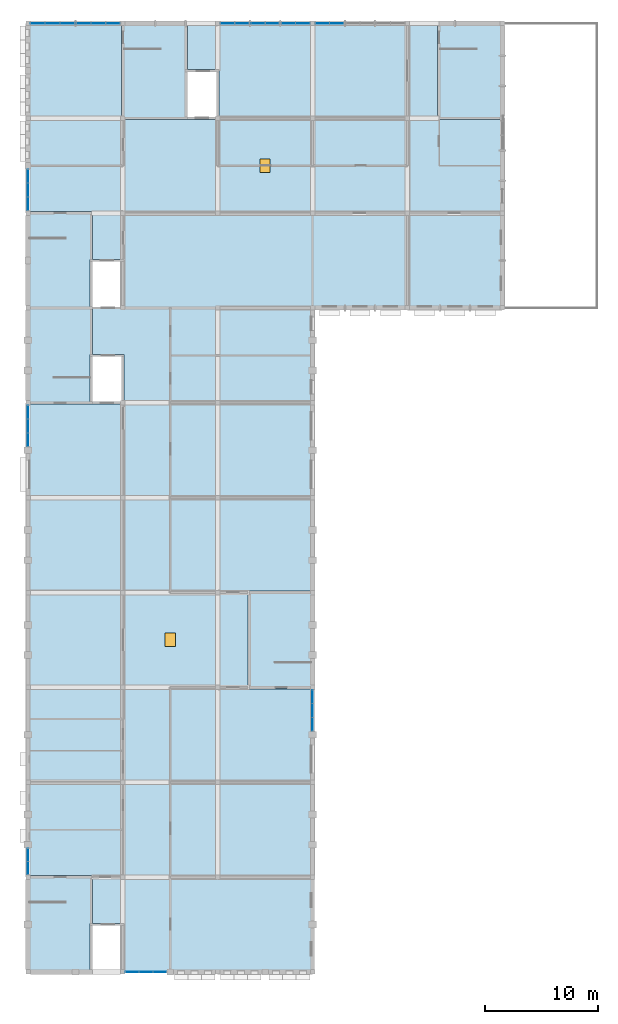
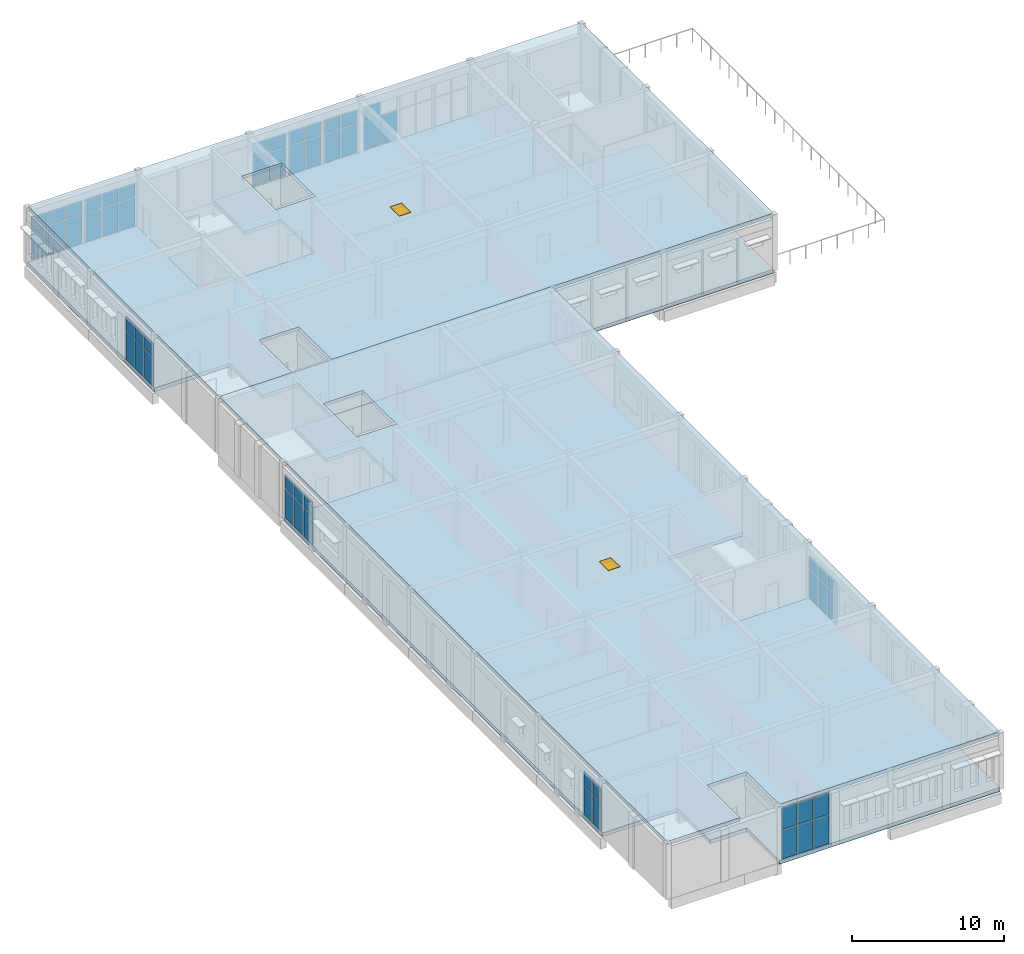
# One storey, part 8 of 15: 55 plates, 4 slabs, 2 windows, 2 openings, 11 elements without a shape of their own.
"""IFC4 building model written with IfcOpenShell, lengths in metres."""

from ifc_helpers import new_model, si_unit, direction, frame, origin, origin_2d, place, context, subcontext, project, spatial, polyline, rectangle, outline, extrude, material, layer, layer_set, type_object, element, fill, aggregate, save


model = new_model("IFC4")

# Units and contexts
model_context = context("Model", 3, precision=1e-05, world=origin(), true_north=direction((0.0, 1.0)))
body_context = subcontext(model_context, "Body", "Model", "MODEL_VIEW")
ifc_project = project(units=[si_unit("LENGTHUNIT", "METRE"), si_unit("AREAUNIT", "SQUARE_METRE"), si_unit("VOLUMEUNIT", "CUBIC_METRE"), si_unit("PLANEANGLEUNIT", "RADIAN"), si_unit("MASSUNIT", "GRAM", prefix="KILO")], contexts=[model_context])

# Site, building, storey
site_placement = place(None, origin())
site = spatial("IfcSite", under=ifc_project, at=site_placement, CompositionType="ELEMENT")
building_placement = place(site_placement, origin())
building = spatial("IfcBuilding", under=site, at=building_placement, Name="Fescue Hill Polytechnic", CompositionType="ELEMENT")
storey_placement = place(building_placement, frame((0.0, 0.0, 31.5)))
storey = spatial("IfcBuildingStorey", under=building, at=storey_placement, Name="L07", CompositionType="ELEMENT", Elevation=31.5)

# Slabs
ifc_material_1 = material(Name="Concrete 35 MPa", Category="concrete")
ifc_layer_1 = layer(ifc_material_1, 0.300048828125)
ifc_layer_set_1 = layer_set([ifc_layer_1], Name="Concrete 35 MPa")
slab_type_1 = type_object("IfcSlabType", Name="Floor slab 300", PredefinedType="FLOOR", material=ifc_layer_set_1)
slab_1_placement = place(storey_placement, frame((0.0, 0.0, -0.300048828125)))
element("IfcSlab", 1, at=slab_1_placement, inside=storey, type_object=slab_type_1, Name="SL-L07-V4-1", PredefinedType="FLOOR", context=body_context, shape_type="SweptSolid", body=[
    extrude(outline(polyline([(25.199951171875, 50.39990234375), (8.5, 50.39990234375), (8.5, 54.699951171875), (5.72509765625, 54.699951171875), (5.72509765625, 58.925048828125), (0.0, 58.925048828125), (0.0, 100.675048828125), (5.72509765625, 100.675048828125), (5.72509765625, 100.699951171875), (8.5, 100.699951171875), (8.5, 105.10009765625), (5.72509765625, 105.10009765625), (5.72509765625, 109.199951171875), (25.199951171875, 109.199951171875), (25.199951171875, 84.125), (19.47509765625, 84.125), (19.47509765625, 75.47509765625), (25.199951171875, 75.47509765625), (25.199951171875, 50.39990234375)])), origin(), (0.0, 0.0, 1.0), 0.300048828125),
])
slab_2_placement = place(storey_placement, frame((0.0, 0.0, -0.300048828125)))
element("IfcSlab", 2, at=slab_2_placement, inside=storey, type_object=slab_type_1, Name="SL-L07-V5-1", PredefinedType="FLOOR", context=body_context, shape_type="SweptSolid", body=[
    extrude(outline(polyline([(42.0, 109.199951171875), (8.5, 109.199951171875), (8.5, 113.5), (5.72509765625, 113.5), (5.72509765625, 117.72509765625), (0.0, 117.72509765625), (0.0, 134.39990234375), (8.27490234375, 134.39990234375), (8.27490234375, 125.875), (14.125, 125.875), (14.125, 125.89990234375), (16.89990234375, 125.89990234375), (16.89990234375, 130.300048828125), (14.125, 130.300048828125), (14.125, 134.39990234375), (36.27490234375, 134.39990234375), (36.27490234375, 125.875), (42.0, 125.875), (42.0, 109.199951171875)])), origin(), (0.0, 0.0, 1.0), 0.300048828125),
])

# Curtain wall, plates
ifc_material_2 = material(Name="Glass", Category="glass")
curtain_wall_type = type_object("IfcCurtainWallType", Name="Curtain wall structural glazing", PredefinedType="NOTDEFINED", material=ifc_material_2)
curtain_wall_1_placement = place(storey_placement, origin())
curtain_wall_1 = element("IfcCurtainWall", 3, at=curtain_wall_1_placement, inside=storey, type_object=curtain_wall_type, Name="CW-L07-V5-3", PredefinedType="NOTDEFINED")
ifc_layer_2 = layer(ifc_material_2, 0.028076171875)
ifc_layer_set_2 = layer_set([ifc_layer_2], Name="Glass")
plate_type = type_object("IfcPlateType", Name="Panel glazing 28", PredefinedType="CURTAIN_PANEL", material=ifc_layer_set_2)
plate_1_placement = place(storey_placement, frame((27.340087890625, 134.39990234375, 0.06005859375), z_axis=(0.0, 0.0, 1.0), x_axis=(-1.0, 0.0, 0.0)))
plate_1 = element("IfcPlate", 4, at=plate_1_placement, type_object=plate_type, Name="CW108 panel 1.1", PredefinedType="CURTAIN_PANEL", context=body_context, shape_type="SweptSolid", body=[
    extrude(rectangle(XDim=1.21337890625, YDim=0.028076171875, at=origin_2d()), origin(), (0.0, 0.0, 1.0), 2.31005859375),
])
plate_2_placement = place(storey_placement, frame((26.066650390625, 134.39990234375, 0.06005859375), z_axis=(0.0, 0.0, 1.0), x_axis=(-1.0, 0.0, 0.0)))
plate_2 = element("IfcPlate", 5, at=plate_2_placement, type_object=plate_type, Name="CW108 panel 2.1", PredefinedType="CURTAIN_PANEL", context=body_context, shape_type="SweptSolid", body=[
    extrude(rectangle(XDim=1.21337890625, YDim=0.028076171875, at=origin_2d()), origin(), (0.0, 0.0, 1.0), 2.31005859375),
])
plate_3_placement = place(storey_placement, frame((26.066650390625, 134.39990234375, 2.43017578125), z_axis=(0.0, 0.0, 1.0), x_axis=(-1.0, 0.0, 0.0)))
plate_3 = element("IfcPlate", 6, at=plate_3_placement, type_object=plate_type, Name="CW108 panel 2.2", PredefinedType="CURTAIN_PANEL", context=body_context, shape_type="SweptSolid", body=[
    extrude(rectangle(XDim=1.21337890625, YDim=0.028076171875, at=origin_2d()), origin(), (0.0, 0.0, 1.0), 1.090087890625),
])
aggregate(curtain_wall_1, [plate_1, plate_2, plate_3])

curtain_wall_2_placement = place(storey_placement, origin())
curtain_wall_2 = element("IfcCurtainWall", 7, at=curtain_wall_2_placement, inside=storey, type_object=curtain_wall_type, Name="CW-L07-V5-4", PredefinedType="NOTDEFINED")
plate_4_placement = place(storey_placement, frame((24.333251953125, 134.39990234375, 0.06005859375), z_axis=(0.0, 0.0, 1.0), x_axis=(-1.0, 0.0, 0.0)))
plate_4 = element("IfcPlate", 8, at=plate_4_placement, type_object=plate_type, Name="CW109 panel 1.1", PredefinedType="CURTAIN_PANEL", context=body_context, shape_type="SweptSolid", body=[
    extrude(rectangle(XDim=1.21337890625, YDim=0.028076171875, at=origin_2d()), origin(), (0.0, 0.0, 1.0), 2.31005859375),
])
plate_5_placement = place(storey_placement, frame((24.333251953125, 134.39990234375, 2.43017578125), z_axis=(0.0, 0.0, 1.0), x_axis=(-1.0, 0.0, 0.0)))
plate_5 = element("IfcPlate", 9, at=plate_5_placement, type_object=plate_type, Name="CW109 panel 1.2", PredefinedType="CURTAIN_PANEL", context=body_context, shape_type="SweptSolid", body=[
    extrude(rectangle(XDim=1.21337890625, YDim=0.028076171875, at=origin_2d()), origin(), (0.0, 0.0, 1.0), 1.090087890625),
])
plate_6_placement = place(storey_placement, frame((23.06005859375, 134.39990234375, 0.06005859375), z_axis=(0.0, 0.0, 1.0), x_axis=(-1.0, 0.0, 0.0)))
plate_6 = element("IfcPlate", 10, at=plate_6_placement, type_object=plate_type, Name="CW109 panel 2.1", PredefinedType="CURTAIN_PANEL", context=body_context, shape_type="SweptSolid", body=[
    extrude(rectangle(XDim=1.21337890625, YDim=0.028076171875, at=origin_2d()), origin(), (0.0, 0.0, 1.0), 2.31005859375),
])
plate_7_placement = place(storey_placement, frame((23.06005859375, 134.39990234375, 2.43017578125), z_axis=(0.0, 0.0, 1.0), x_axis=(-1.0, 0.0, 0.0)))
plate_7 = element("IfcPlate", 11, at=plate_7_placement, type_object=plate_type, Name="CW109 panel 2.2", PredefinedType="CURTAIN_PANEL", context=body_context, shape_type="SweptSolid", body=[
    extrude(rectangle(XDim=1.21337890625, YDim=0.028076171875, at=origin_2d()), origin(), (0.0, 0.0, 1.0), 1.090087890625),
])
aggregate(curtain_wall_2, [plate_4, plate_5, plate_6, plate_7])

curtain_wall_3_placement = place(storey_placement, origin())
curtain_wall_3 = element("IfcCurtainWall", 12, at=curtain_wall_3_placement, inside=storey, type_object=curtain_wall_type, Name="CW-L07-V5-5", PredefinedType="NOTDEFINED")
plate_8_placement = place(storey_placement, frame((21.62158203125, 134.39990234375, 0.06005859375), z_axis=(0.0, 0.0, 1.0), x_axis=(-1.0, 0.0, 0.0)))
plate_8 = element("IfcPlate", 13, at=plate_8_placement, type_object=plate_type, Name="CW110 panel 1.1", PredefinedType="CURTAIN_PANEL", context=body_context, shape_type="SweptSolid", body=[
    extrude(rectangle(XDim=1.183349609375, YDim=0.028076171875, at=origin_2d()), origin(), (0.0, 0.0, 1.0), 2.31005859375),
])
plate_9_placement = place(storey_placement, frame((21.62158203125, 134.39990234375, 2.43017578125), z_axis=(0.0, 0.0, 1.0), x_axis=(-1.0, 0.0, 0.0)))
plate_9 = element("IfcPlate", 14, at=plate_9_placement, type_object=plate_type, Name="CW110 panel 1.2", PredefinedType="CURTAIN_PANEL", context=body_context, shape_type="SweptSolid", body=[
    extrude(rectangle(XDim=1.183349609375, YDim=0.028076171875, at=origin_2d()), origin(), (0.0, 0.0, 1.0), 1.090087890625),
])
plate_10_placement = place(storey_placement, frame((20.37841796875, 134.39990234375, 0.06005859375), z_axis=(0.0, 0.0, 1.0), x_axis=(-1.0, 0.0, 0.0)))
plate_10 = element("IfcPlate", 15, at=plate_10_placement, type_object=plate_type, Name="CW110 panel 2.1", PredefinedType="CURTAIN_PANEL", context=body_context, shape_type="SweptSolid", body=[
    extrude(rectangle(XDim=1.183349609375, YDim=0.028076171875, at=origin_2d()), origin(), (0.0, 0.0, 1.0), 2.31005859375),
])
plate_11_placement = place(storey_placement, frame((20.37841796875, 134.39990234375, 2.43017578125), z_axis=(0.0, 0.0, 1.0), x_axis=(-1.0, 0.0, 0.0)))
plate_11 = element("IfcPlate", 16, at=plate_11_placement, type_object=plate_type, Name="CW110 panel 2.2", PredefinedType="CURTAIN_PANEL", context=body_context, shape_type="SweptSolid", body=[
    extrude(rectangle(XDim=1.183349609375, YDim=0.028076171875, at=origin_2d()), origin(), (0.0, 0.0, 1.0), 1.090087890625),
])
aggregate(curtain_wall_3, [plate_8, plate_9, plate_10, plate_11])

curtain_wall_4_placement = place(storey_placement, origin())
curtain_wall_4 = element("IfcCurtainWall", 17, at=curtain_wall_4_placement, inside=storey, type_object=curtain_wall_type, Name="CW-L07-V5-6", PredefinedType="NOTDEFINED")
plate_12_placement = place(storey_placement, frame((18.93994140625, 134.39990234375, 0.06005859375), z_axis=(0.0, 0.0, 1.0), x_axis=(-1.0, 0.0, 0.0)))
plate_12 = element("IfcPlate", 18, at=plate_12_placement, type_object=plate_type, Name="CW111 panel 1.1", PredefinedType="CURTAIN_PANEL", context=body_context, shape_type="SweptSolid", body=[
    extrude(rectangle(XDim=1.21337890625, YDim=0.028076171875, at=origin_2d()), origin(), (0.0, 0.0, 1.0), 2.31005859375),
])
plate_13_placement = place(storey_placement, frame((18.93994140625, 134.39990234375, 2.43017578125), z_axis=(0.0, 0.0, 1.0), x_axis=(-1.0, 0.0, 0.0)))
plate_13 = element("IfcPlate", 19, at=plate_13_placement, type_object=plate_type, Name="CW111 panel 1.2", PredefinedType="CURTAIN_PANEL", context=body_context, shape_type="SweptSolid", body=[
    extrude(rectangle(XDim=1.21337890625, YDim=0.028076171875, at=origin_2d()), origin(), (0.0, 0.0, 1.0), 1.090087890625),
])
plate_14_placement = place(storey_placement, frame((17.666748046875, 134.39990234375, 0.06005859375), z_axis=(0.0, 0.0, 1.0), x_axis=(-1.0, 0.0, 0.0)))
plate_14 = element("IfcPlate", 20, at=plate_14_placement, type_object=plate_type, Name="CW111 panel 2.1", PredefinedType="CURTAIN_PANEL", context=body_context, shape_type="SweptSolid", body=[
    extrude(rectangle(XDim=1.21337890625, YDim=0.028076171875, at=origin_2d()), origin(), (0.0, 0.0, 1.0), 2.31005859375),
])
plate_15_placement = place(storey_placement, frame((17.666748046875, 134.39990234375, 2.43017578125), z_axis=(0.0, 0.0, 1.0), x_axis=(-1.0, 0.0, 0.0)))
plate_15 = element("IfcPlate", 21, at=plate_15_placement, type_object=plate_type, Name="CW111 panel 2.2", PredefinedType="CURTAIN_PANEL", context=body_context, shape_type="SweptSolid", body=[
    extrude(rectangle(XDim=1.21337890625, YDim=0.028076171875, at=origin_2d()), origin(), (0.0, 0.0, 1.0), 1.090087890625),
])
aggregate(curtain_wall_4, [plate_12, plate_13, plate_14, plate_15])

curtain_wall_5_placement = place(storey_placement, origin())
curtain_wall_5 = element("IfcCurtainWall", 22, at=curtain_wall_5_placement, inside=storey, type_object=curtain_wall_type, Name="CW-L07-V5-7", PredefinedType="NOTDEFINED")
plate_16_placement = place(storey_placement, frame((3.46826171875, 134.39990234375, 0.06005859375), z_axis=(0.0, 0.0, 1.0), x_axis=(-1.0, 0.0, 0.0)))
plate_16 = element("IfcPlate", 23, at=plate_16_placement, type_object=plate_type, Name="CW112 panel 1.1", PredefinedType="CURTAIN_PANEL", context=body_context, shape_type="SweptSolid", body=[
    extrude(rectangle(XDim=1.223388671875, YDim=0.028076171875, at=origin_2d()), origin(), (0.0, 0.0, 1.0), 2.31005859375),
])
plate_17_placement = place(storey_placement, frame((3.46826171875, 134.39990234375, 2.43017578125), z_axis=(0.0, 0.0, 1.0), x_axis=(-1.0, 0.0, 0.0)))
plate_17 = element("IfcPlate", 24, at=plate_17_placement, type_object=plate_type, Name="CW112 panel 1.2", PredefinedType="CURTAIN_PANEL", context=body_context, shape_type="SweptSolid", body=[
    extrude(rectangle(XDim=1.223388671875, YDim=0.028076171875, at=origin_2d()), origin(), (0.0, 0.0, 1.0), 1.090087890625),
])
plate_18_placement = place(storey_placement, frame((2.169921875, 134.39990234375, 0.06005859375), z_axis=(0.0, 0.0, 1.0), x_axis=(-1.0, 0.0, 0.0)))
plate_18 = element("IfcPlate", 25, at=plate_18_placement, type_object=plate_type, Name="CW112 panel 2.1", PredefinedType="CURTAIN_PANEL", context=body_context, shape_type="SweptSolid", body=[
    extrude(rectangle(XDim=1.25341796875, YDim=0.028076171875, at=origin_2d()), origin(), (0.0, 0.0, 1.0), 2.31005859375),
])
plate_19_placement = place(storey_placement, frame((2.169921875, 134.39990234375, 2.43017578125), z_axis=(0.0, 0.0, 1.0), x_axis=(-1.0, 0.0, 0.0)))
plate_19 = element("IfcPlate", 26, at=plate_19_placement, type_object=plate_type, Name="CW112 panel 2.2", PredefinedType="CURTAIN_PANEL", context=body_context, shape_type="SweptSolid", body=[
    extrude(rectangle(XDim=1.25341796875, YDim=0.028076171875, at=origin_2d()), origin(), (0.0, 0.0, 1.0), 1.090087890625),
])
plate_20_placement = place(storey_placement, frame((0.87158203125, 134.39990234375, 0.06005859375), z_axis=(0.0, 0.0, 1.0), x_axis=(-1.0, 0.0, 0.0)))
plate_20 = element("IfcPlate", 27, at=plate_20_placement, type_object=plate_type, Name="CW112 panel 3.1", PredefinedType="CURTAIN_PANEL", context=body_context, shape_type="SweptSolid", body=[
    extrude(rectangle(XDim=1.223388671875, YDim=0.028076171875, at=origin_2d()), origin(), (0.0, 0.0, 1.0), 2.31005859375),
])
plate_21_placement = place(storey_placement, frame((0.87158203125, 134.39990234375, 2.43017578125), z_axis=(0.0, 0.0, 1.0), x_axis=(-1.0, 0.0, 0.0)))
plate_21 = element("IfcPlate", 28, at=plate_21_placement, type_object=plate_type, Name="CW112 panel 3.2", PredefinedType="CURTAIN_PANEL", context=body_context, shape_type="SweptSolid", body=[
    extrude(rectangle(XDim=1.223388671875, YDim=0.028076171875, at=origin_2d()), origin(), (0.0, 0.0, 1.0), 1.090087890625),
])
aggregate(curtain_wall_5, [plate_16, plate_17, plate_18, plate_19, plate_20, plate_21])

curtain_wall_6_placement = place(storey_placement, origin())
curtain_wall_6 = element("IfcCurtainWall", 29, at=curtain_wall_6_placement, inside=storey, type_object=curtain_wall_type, Name="CW-L07-V4-X1", PredefinedType="NOTDEFINED")
plate_22_placement = place(storey_placement, frame((0.0, 60.760009765625, 0.06005859375), z_axis=(0.0, 0.0, 1.0), x_axis=(0.0, -1.0, 0.0)))
plate_22 = element("IfcPlate", 30, at=plate_22_placement, type_object=plate_type, Name="CW127 panel 1.1", PredefinedType="CURTAIN_PANEL", context=body_context, shape_type="SweptSolid", body=[
    extrude(rectangle(XDim=1.09326171875, YDim=0.028076171875, at=origin_2d()), origin(), (0.0, 0.0, 1.0), 2.31005859375),
])
plate_23_placement = place(storey_placement, frame((0.0, 60.760009765625, 2.43017578125), z_axis=(0.0, 0.0, 1.0), x_axis=(0.0, -1.0, 0.0)))
plate_23 = element("IfcPlate", 31, at=plate_23_placement, type_object=plate_type, Name="CW127 panel 1.2", PredefinedType="CURTAIN_PANEL", context=body_context, shape_type="SweptSolid", body=[
    extrude(rectangle(XDim=1.09326171875, YDim=0.028076171875, at=origin_2d()), origin(), (0.0, 0.0, 1.0), 1.090087890625),
])
plate_24_placement = place(storey_placement, frame((0.0, 59.606689453125, 0.06005859375), z_axis=(0.0, 0.0, 1.0), x_axis=(0.0, -1.0, 0.0)))
plate_24 = element("IfcPlate", 32, at=plate_24_placement, type_object=plate_type, Name="CW127 panel 2.1", PredefinedType="CURTAIN_PANEL", context=body_context, shape_type="SweptSolid", body=[
    extrude(rectangle(XDim=1.09326171875, YDim=0.028076171875, at=origin_2d()), origin(), (0.0, 0.0, 1.0), 2.31005859375),
])
plate_25_placement = place(storey_placement, frame((0.0, 59.606689453125, 2.43017578125), z_axis=(0.0, 0.0, 1.0), x_axis=(0.0, -1.0, 0.0)))
plate_25 = element("IfcPlate", 33, at=plate_25_placement, type_object=plate_type, Name="CW127 panel 2.2", PredefinedType="CURTAIN_PANEL", context=body_context, shape_type="SweptSolid", body=[
    extrude(rectangle(XDim=1.09326171875, YDim=0.028076171875, at=origin_2d()), origin(), (0.0, 0.0, 1.0), 1.090087890625),
])
aggregate(curtain_wall_6, [plate_22, plate_23, plate_24, plate_25])

curtain_wall_7_placement = place(storey_placement, origin())
curtain_wall_7 = element("IfcCurtainWall", 34, at=curtain_wall_7_placement, inside=storey, type_object=curtain_wall_type, Name="CW-L07-V4-X2", PredefinedType="NOTDEFINED")
plate_26_placement = place(storey_placement, frame((0.0, 99.96826171875, 0.06005859375), z_axis=(0.0, 0.0, 1.0), x_axis=(0.0, -1.0, 0.0)))
plate_26 = element("IfcPlate", 35, at=plate_26_placement, type_object=plate_type, Name="CW133 panel 1.1", PredefinedType="CURTAIN_PANEL", context=body_context, shape_type="SweptSolid", body=[
    extrude(rectangle(XDim=1.143310546875, YDim=0.028076171875, at=origin_2d()), origin(), (0.0, 0.0, 1.0), 2.31005859375),
])
plate_27_placement = place(storey_placement, frame((0.0, 99.96826171875, 2.43017578125), z_axis=(0.0, 0.0, 1.0), x_axis=(0.0, -1.0, 0.0)))
plate_27 = element("IfcPlate", 36, at=plate_27_placement, type_object=plate_type, Name="CW133 panel 1.2", PredefinedType="CURTAIN_PANEL", context=body_context, shape_type="SweptSolid", body=[
    extrude(rectangle(XDim=1.143310546875, YDim=0.028076171875, at=origin_2d()), origin(), (0.0, 0.0, 1.0), 1.090087890625),
])
plate_28_placement = place(storey_placement, frame((0.0, 98.75, 0.06005859375), z_axis=(0.0, 0.0, 1.0), x_axis=(0.0, -1.0, 0.0)))
plate_28 = element("IfcPlate", 37, at=plate_28_placement, type_object=plate_type, Name="CW133 panel 2.1", PredefinedType="CURTAIN_PANEL", context=body_context, shape_type="SweptSolid", body=[
    extrude(rectangle(XDim=1.17333984375, YDim=0.028076171875, at=origin_2d()), origin(), (0.0, 0.0, 1.0), 2.31005859375),
])
plate_29_placement = place(storey_placement, frame((0.0, 98.75, 2.43017578125), z_axis=(0.0, 0.0, 1.0), x_axis=(0.0, -1.0, 0.0)))
plate_29 = element("IfcPlate", 38, at=plate_29_placement, type_object=plate_type, Name="CW133 panel 2.2", PredefinedType="CURTAIN_PANEL", context=body_context, shape_type="SweptSolid", body=[
    extrude(rectangle(XDim=1.17333984375, YDim=0.028076171875, at=origin_2d()), origin(), (0.0, 0.0, 1.0), 1.090087890625),
])
plate_30_placement = place(storey_placement, frame((0.0, 97.53173828125, 0.06005859375), z_axis=(0.0, 0.0, 1.0), x_axis=(0.0, -1.0, 0.0)))
plate_30 = element("IfcPlate", 39, at=plate_30_placement, type_object=plate_type, Name="CW133 panel 3.1", PredefinedType="CURTAIN_PANEL", context=body_context, shape_type="SweptSolid", body=[
    extrude(rectangle(XDim=1.143310546875, YDim=0.028076171875, at=origin_2d()), origin(), (0.0, 0.0, 1.0), 2.31005859375),
])
plate_31_placement = place(storey_placement, frame((0.0, 97.53173828125, 2.43017578125), z_axis=(0.0, 0.0, 1.0), x_axis=(0.0, -1.0, 0.0)))
plate_31 = element("IfcPlate", 40, at=plate_31_placement, type_object=plate_type, Name="CW133 panel 3.2", PredefinedType="CURTAIN_PANEL", context=body_context, shape_type="SweptSolid", body=[
    extrude(rectangle(XDim=1.143310546875, YDim=0.028076171875, at=origin_2d()), origin(), (0.0, 0.0, 1.0), 1.090087890625),
])
aggregate(curtain_wall_7, [plate_26, plate_27, plate_28, plate_29, plate_30, plate_31])

curtain_wall_8_placement = place(storey_placement, origin())
curtain_wall_8 = element("IfcCurtainWall", 41, at=curtain_wall_8_placement, inside=storey, type_object=curtain_wall_type, Name="CW-L07-V4-X3", PredefinedType="NOTDEFINED")
plate_32_placement = place(storey_placement, frame((25.199951171875, 72.331787109375, 0.06005859375), z_axis=(0.0, 0.0, 1.0), x_axis=(0.0, 1.0, 0.0)))
plate_32 = element("IfcPlate", 42, at=plate_32_placement, type_object=plate_type, Name="CW140 panel 1.1", PredefinedType="CURTAIN_PANEL", context=body_context, shape_type="SweptSolid", body=[
    extrude(rectangle(XDim=1.143310546875, YDim=0.028076171875, at=origin_2d()), origin(), (0.0, 0.0, 1.0), 2.31005859375),
])
plate_33_placement = place(storey_placement, frame((25.199951171875, 72.331787109375, 2.43017578125), z_axis=(0.0, 0.0, 1.0), x_axis=(0.0, 1.0, 0.0)))
plate_33 = element("IfcPlate", 43, at=plate_33_placement, type_object=plate_type, Name="CW140 panel 1.2", PredefinedType="CURTAIN_PANEL", context=body_context, shape_type="SweptSolid", body=[
    extrude(rectangle(XDim=1.143310546875, YDim=0.028076171875, at=origin_2d()), origin(), (0.0, 0.0, 1.0), 1.090087890625),
])
plate_34_placement = place(storey_placement, frame((25.199951171875, 73.550048828125, 0.06005859375), z_axis=(0.0, 0.0, 1.0), x_axis=(0.0, 1.0, 0.0)))
plate_34 = element("IfcPlate", 44, at=plate_34_placement, type_object=plate_type, Name="CW140 panel 2.1", PredefinedType="CURTAIN_PANEL", context=body_context, shape_type="SweptSolid", body=[
    extrude(rectangle(XDim=1.17333984375, YDim=0.028076171875, at=origin_2d()), origin(), (0.0, 0.0, 1.0), 2.31005859375),
])
plate_35_placement = place(storey_placement, frame((25.199951171875, 73.550048828125, 2.43017578125), z_axis=(0.0, 0.0, 1.0), x_axis=(0.0, 1.0, 0.0)))
plate_35 = element("IfcPlate", 45, at=plate_35_placement, type_object=plate_type, Name="CW140 panel 2.2", PredefinedType="CURTAIN_PANEL", context=body_context, shape_type="SweptSolid", body=[
    extrude(rectangle(XDim=1.17333984375, YDim=0.028076171875, at=origin_2d()), origin(), (0.0, 0.0, 1.0), 1.090087890625),
])
plate_36_placement = place(storey_placement, frame((25.199951171875, 74.768310546875, 0.06005859375), z_axis=(0.0, 0.0, 1.0), x_axis=(0.0, 1.0, 0.0)))
plate_36 = element("IfcPlate", 46, at=plate_36_placement, type_object=plate_type, Name="CW140 panel 3.1", PredefinedType="CURTAIN_PANEL", context=body_context, shape_type="SweptSolid", body=[
    extrude(rectangle(XDim=1.143310546875, YDim=0.028076171875, at=origin_2d()), origin(), (0.0, 0.0, 1.0), 2.31005859375),
])
plate_37_placement = place(storey_placement, frame((25.199951171875, 74.768310546875, 2.43017578125), z_axis=(0.0, 0.0, 1.0), x_axis=(0.0, 1.0, 0.0)))
plate_37 = element("IfcPlate", 47, at=plate_37_placement, type_object=plate_type, Name="CW140 panel 3.2", PredefinedType="CURTAIN_PANEL", context=body_context, shape_type="SweptSolid", body=[
    extrude(rectangle(XDim=1.143310546875, YDim=0.028076171875, at=origin_2d()), origin(), (0.0, 0.0, 1.0), 1.090087890625),
])
aggregate(curtain_wall_8, [plate_32, plate_33, plate_34, plate_35, plate_36, plate_37])

curtain_wall_9_placement = place(storey_placement, origin())
curtain_wall_9 = element("IfcCurtainWall", 48, at=curtain_wall_9_placement, inside=storey, type_object=curtain_wall_type, Name="CW-L07-V4-X4", PredefinedType="NOTDEFINED")
plate_38_placement = place(storey_placement, frame((9.231689453125, 50.39990234375, 0.06005859375), z_axis=(0.0, 0.0, 1.0), x_axis=(1.0, 0.0, 0.0)))
plate_38 = element("IfcPlate", 49, at=plate_38_placement, type_object=plate_type, Name="CW145 panel 1.1", PredefinedType="CURTAIN_PANEL", context=body_context, shape_type="SweptSolid", body=[
    extrude(rectangle(XDim=1.143310546875, YDim=0.028076171875, at=origin_2d()), origin(), (0.0, 0.0, 1.0), 2.31005859375),
])
plate_39_placement = place(storey_placement, frame((9.231689453125, 50.39990234375, 2.429931640625), z_axis=(0.0, 0.0, 1.0), x_axis=(1.0, 0.0, 0.0)))
plate_39 = element("IfcPlate", 50, at=plate_39_placement, type_object=plate_type, Name="CW145 panel 1.2", PredefinedType="CURTAIN_PANEL", context=body_context, shape_type="SweptSolid", body=[
    extrude(rectangle(XDim=1.143310546875, YDim=0.028076171875, at=origin_2d()), origin(), (0.0, 0.0, 1.0), 1.68994140625),
])
plate_40_placement = place(storey_placement, frame((10.449951171875, 50.39990234375, 0.06005859375), z_axis=(0.0, 0.0, 1.0), x_axis=(1.0, 0.0, 0.0)))
plate_40 = element("IfcPlate", 51, at=plate_40_placement, type_object=plate_type, Name="CW145 panel 2.1", PredefinedType="CURTAIN_PANEL", context=body_context, shape_type="SweptSolid", body=[
    extrude(rectangle(XDim=1.17333984375, YDim=0.028076171875, at=origin_2d()), origin(), (0.0, 0.0, 1.0), 2.31005859375),
])
plate_41_placement = place(storey_placement, frame((10.449951171875, 50.39990234375, 2.429931640625), z_axis=(0.0, 0.0, 1.0), x_axis=(1.0, 0.0, 0.0)))
plate_41 = element("IfcPlate", 52, at=plate_41_placement, type_object=plate_type, Name="CW145 panel 2.2", PredefinedType="CURTAIN_PANEL", context=body_context, shape_type="SweptSolid", body=[
    extrude(rectangle(XDim=1.17333984375, YDim=0.028076171875, at=origin_2d()), origin(), (0.0, 0.0, 1.0), 1.68994140625),
])
plate_42_placement = place(storey_placement, frame((11.668212890625, 50.39990234375, 0.06005859375), z_axis=(0.0, 0.0, 1.0), x_axis=(1.0, 0.0, 0.0)))
plate_42 = element("IfcPlate", 53, at=plate_42_placement, type_object=plate_type, Name="CW145 panel 3.1", PredefinedType="CURTAIN_PANEL", context=body_context, shape_type="SweptSolid", body=[
    extrude(rectangle(XDim=1.143310546875, YDim=0.028076171875, at=origin_2d()), origin(), (0.0, 0.0, 1.0), 2.31005859375),
])
plate_43_placement = place(storey_placement, frame((11.668212890625, 50.39990234375, 2.429931640625), z_axis=(0.0, 0.0, 1.0), x_axis=(1.0, 0.0, 0.0)))
plate_43 = element("IfcPlate", 54, at=plate_43_placement, type_object=plate_type, Name="CW145 panel 3.2", PredefinedType="CURTAIN_PANEL", context=body_context, shape_type="SweptSolid", body=[
    extrude(rectangle(XDim=1.143310546875, YDim=0.028076171875, at=origin_2d()), origin(), (0.0, 0.0, 1.0), 1.68994140625),
])
aggregate(curtain_wall_9, [plate_38, plate_39, plate_40, plate_41, plate_42, plate_43])

curtain_wall_10_placement = place(storey_placement, origin())
curtain_wall_10 = element("IfcCurtainWall", 55, at=curtain_wall_10_placement, inside=storey, type_object=curtain_wall_type, Name="CW-L07-V5-X1", PredefinedType="NOTDEFINED")
plate_44_placement = place(storey_placement, frame((0.0, 120.868408203125, 0.06005859375), z_axis=(0.0, 0.0, 1.0), x_axis=(0.0, -1.0, 0.0)))
plate_44 = element("IfcPlate", 56, at=plate_44_placement, type_object=plate_type, Name="CW150 panel 1.1", PredefinedType="CURTAIN_PANEL", context=body_context, shape_type="SweptSolid", body=[
    extrude(rectangle(XDim=1.143310546875, YDim=0.028076171875, at=origin_2d()), origin(), (0.0, 0.0, 1.0), 2.31005859375),
])
plate_45_placement = place(storey_placement, frame((0.0, 120.868408203125, 2.43017578125), z_axis=(0.0, 0.0, 1.0), x_axis=(0.0, -1.0, 0.0)))
plate_45 = element("IfcPlate", 57, at=plate_45_placement, type_object=plate_type, Name="CW150 panel 1.2", PredefinedType="CURTAIN_PANEL", context=body_context, shape_type="SweptSolid", body=[
    extrude(rectangle(XDim=1.143310546875, YDim=0.028076171875, at=origin_2d()), origin(), (0.0, 0.0, 1.0), 1.090087890625),
])
plate_46_placement = place(storey_placement, frame((0.0, 119.64990234375, 0.06005859375), z_axis=(0.0, 0.0, 1.0), x_axis=(0.0, -1.0, 0.0)))
plate_46 = element("IfcPlate", 58, at=plate_46_placement, type_object=plate_type, Name="CW150 panel 2.1", PredefinedType="CURTAIN_PANEL", context=body_context, shape_type="SweptSolid", body=[
    extrude(rectangle(XDim=1.17333984375, YDim=0.028076171875, at=origin_2d()), origin(), (0.0, 0.0, 1.0), 2.31005859375),
])
plate_47_placement = place(storey_placement, frame((0.0, 119.64990234375, 2.43017578125), z_axis=(0.0, 0.0, 1.0), x_axis=(0.0, -1.0, 0.0)))
plate_47 = element("IfcPlate", 59, at=plate_47_placement, type_object=plate_type, Name="CW150 panel 2.2", PredefinedType="CURTAIN_PANEL", context=body_context, shape_type="SweptSolid", body=[
    extrude(rectangle(XDim=1.17333984375, YDim=0.028076171875, at=origin_2d()), origin(), (0.0, 0.0, 1.0), 1.090087890625),
])
plate_48_placement = place(storey_placement, frame((0.0, 118.431640625, 0.06005859375), z_axis=(0.0, 0.0, 1.0), x_axis=(0.0, -1.0, 0.0)))
plate_48 = element("IfcPlate", 60, at=plate_48_placement, type_object=plate_type, Name="CW150 panel 3.1", PredefinedType="CURTAIN_PANEL", context=body_context, shape_type="SweptSolid", body=[
    extrude(rectangle(XDim=1.143310546875, YDim=0.028076171875, at=origin_2d()), origin(), (0.0, 0.0, 1.0), 2.31005859375),
])
plate_49_placement = place(storey_placement, frame((0.0, 118.431640625, 2.43017578125), z_axis=(0.0, 0.0, 1.0), x_axis=(0.0, -1.0, 0.0)))
plate_49 = element("IfcPlate", 61, at=plate_49_placement, type_object=plate_type, Name="CW150 panel 3.2", PredefinedType="CURTAIN_PANEL", context=body_context, shape_type="SweptSolid", body=[
    extrude(rectangle(XDim=1.143310546875, YDim=0.028076171875, at=origin_2d()), origin(), (0.0, 0.0, 1.0), 1.090087890625),
])
aggregate(curtain_wall_10, [plate_44, plate_45, plate_46, plate_47, plate_48, plate_49])

curtain_wall_11_placement = place(storey_placement, origin())
curtain_wall_11 = element("IfcCurtainWall", 62, at=curtain_wall_11_placement, inside=storey, type_object=curtain_wall_type, Name="CW-L07-V5-X3", PredefinedType="NOTDEFINED")
plate_50_placement = place(storey_placement, frame((7.5283203125, 134.39990234375, 0.06005859375), z_axis=(0.0, 0.0, 1.0), x_axis=(-1.0, 0.0, 0.0)))
plate_50 = element("IfcPlate", 63, at=plate_50_placement, type_object=plate_type, Name="CW162 panel 1.1", PredefinedType="CURTAIN_PANEL", context=body_context, shape_type="SweptSolid", body=[
    extrude(rectangle(XDim=1.223388671875, YDim=0.028076171875, at=origin_2d()), origin(), (0.0, 0.0, 1.0), 2.31005859375),
])
plate_51_placement = place(storey_placement, frame((7.5283203125, 134.39990234375, 2.43017578125), z_axis=(0.0, 0.0, 1.0), x_axis=(-1.0, 0.0, 0.0)))
plate_51 = element("IfcPlate", 64, at=plate_51_placement, type_object=plate_type, Name="CW162 panel 1.2", PredefinedType="CURTAIN_PANEL", context=body_context, shape_type="SweptSolid", body=[
    extrude(rectangle(XDim=1.223388671875, YDim=0.028076171875, at=origin_2d()), origin(), (0.0, 0.0, 1.0), 1.090087890625),
])
plate_52_placement = place(storey_placement, frame((6.22998046875, 134.39990234375, 0.06005859375), z_axis=(0.0, 0.0, 1.0), x_axis=(-1.0, 0.0, 0.0)))
plate_52 = element("IfcPlate", 65, at=plate_52_placement, type_object=plate_type, Name="CW162 panel 2.1", PredefinedType="CURTAIN_PANEL", context=body_context, shape_type="SweptSolid", body=[
    extrude(rectangle(XDim=1.25341796875, YDim=0.028076171875, at=origin_2d()), origin(), (0.0, 0.0, 1.0), 2.31005859375),
])
plate_53_placement = place(storey_placement, frame((6.22998046875, 134.39990234375, 2.43017578125), z_axis=(0.0, 0.0, 1.0), x_axis=(-1.0, 0.0, 0.0)))
plate_53 = element("IfcPlate", 66, at=plate_53_placement, type_object=plate_type, Name="CW162 panel 2.2", PredefinedType="CURTAIN_PANEL", context=body_context, shape_type="SweptSolid", body=[
    extrude(rectangle(XDim=1.25341796875, YDim=0.028076171875, at=origin_2d()), origin(), (0.0, 0.0, 1.0), 1.090087890625),
])
plate_54_placement = place(storey_placement, frame((4.931640625, 134.39990234375, 0.06005859375), z_axis=(0.0, 0.0, 1.0), x_axis=(-1.0, 0.0, 0.0)))
plate_54 = element("IfcPlate", 67, at=plate_54_placement, type_object=plate_type, Name="CW162 panel 3.1", PredefinedType="CURTAIN_PANEL", context=body_context, shape_type="SweptSolid", body=[
    extrude(rectangle(XDim=1.223388671875, YDim=0.028076171875, at=origin_2d()), origin(), (0.0, 0.0, 1.0), 2.31005859375),
])
plate_55_placement = place(storey_placement, frame((4.931640625, 134.39990234375, 2.43017578125), z_axis=(0.0, 0.0, 1.0), x_axis=(-1.0, 0.0, 0.0)))
plate_55 = element("IfcPlate", 68, at=plate_55_placement, type_object=plate_type, Name="CW162 panel 3.2", PredefinedType="CURTAIN_PANEL", context=body_context, shape_type="SweptSolid", body=[
    extrude(rectangle(XDim=1.223388671875, YDim=0.028076171875, at=origin_2d()), origin(), (0.0, 0.0, 1.0), 1.090087890625),
])
aggregate(curtain_wall_11, [plate_50, plate_51, plate_52, plate_53, plate_54, plate_55])

# Slab, opening, window
ifc_layer_3 = layer(ifc_material_1, 0.300048828125)
ifc_layer_set_3 = layer_set([ifc_layer_3], Name="Concrete 35 MPa")
slab_type_2 = type_object("IfcSlabType", Name="Roof slab 300", PredefinedType="ROOF", material=ifc_layer_set_3)
slab_3_placement = place(storey_placement, frame((0.0, 0.0, 4.199951171875)))
slab_3 = element("IfcSlab", 69, at=slab_3_placement, inside=storey, type_object=slab_type_2, Name="RF-L07-V4-1", PredefinedType="ROOF", context=body_context, shape_type="SweptSolid", body=[
    extrude(outline(polyline([(25.199951171875, 109.199951171875), (25.199951171875, 50.39990234375), (8.5, 50.39990234375), (8.5, 54.699951171875), (5.5, 54.699951171875), (5.5, 50.39990234375), (0.0, 50.39990234375), (0.0, 109.199951171875), (25.199951171875, 109.199951171875)]), holes=[polyline([(8.5, 100.699951171875), (8.5, 105.10009765625), (5.5, 105.10009765625), (5.5, 100.699951171875), (8.5, 100.699951171875)])]), origin(), (0.0, 0.0, 1.0), 0.300048828125),
])
opening_1_placement = place(slab_3_placement, frame((12.60009765625, 79.800048828125, 0.0)))
opening_1 = element("IfcOpeningElement", 70, at=opening_1_placement, cuts=slab_3, Name="Opening WH1", PredefinedType="OPENING", context=body_context, shape_type="SweptSolid", body=[
    extrude(rectangle(XDim=0.89990234375, YDim=1.199951171875, at=origin_2d()), frame((0.0, 0.0, -0.010009765625)), (0.0, 0.0, 1.0), 0.320068359375),
])
ifc_material_3 = material(Name="Powder-coated aluminium and glass", Category="aluminium")
window_type = type_object("IfcWindowType", Name="Roof access hatch 900x1200", PartitioningType="SINGLE_PANEL", PredefinedType="SKYLIGHT", material=ifc_material_3)
window_1_placement = place(opening_1_placement, frame((0.0, 0.0, 0.25)))
window_1 = element("IfcWindow", 71, at=window_1_placement, inside=storey, type_object=window_type, Name="HT-L07-V4-1", OverallHeight=1.199951171875, OverallWidth=0.89990234375, PartitioningType="SINGLE_PANEL", PredefinedType="SKYLIGHT", context=body_context, shape_type="SweptSolid", body=[
    extrude(rectangle(XDim=0.89990234375, YDim=1.199951171875, at=origin_2d()), origin(), (0.0, 0.0, 1.0), 0.050048828125),
])
fill(opening_1, window_1)

slab_4_placement = place(storey_placement, frame((0.0, 0.0, 4.199951171875)))
slab_4 = element("IfcSlab", 72, at=slab_4_placement, inside=storey, type_object=slab_type_2, Name="RF-L07-V5-1", PredefinedType="ROOF", context=body_context, shape_type="SweptSolid", body=[
    extrude(outline(polyline([(42.0, 134.39990234375), (42.0, 109.199951171875), (8.5, 109.199951171875), (8.5, 113.5), (5.5, 113.5), (5.5, 109.199951171875), (0.0, 109.199951171875), (0.0, 134.39990234375), (42.0, 134.39990234375)]), holes=[polyline([(16.89990234375, 125.89990234375), (16.89990234375, 130.300048828125), (13.89990234375, 130.300048828125), (13.89990234375, 125.89990234375), (16.89990234375, 125.89990234375)])]), origin(), (0.0, 0.0, 1.0), 0.300048828125),
])
opening_2_placement = place(slab_4_placement, frame((21.0, 121.800048828125, 0.0)))
opening_2 = element("IfcOpeningElement", 73, at=opening_2_placement, cuts=slab_4, Name="Opening WH1", PredefinedType="OPENING", context=body_context, shape_type="SweptSolid", body=[
    extrude(rectangle(XDim=0.89990234375, YDim=1.199951171875, at=origin_2d()), frame((0.0, 0.0, -0.010009765625)), (0.0, 0.0, 1.0), 0.320068359375),
])
window_2_placement = place(opening_2_placement, frame((0.0, 0.0, 0.25)))
window_2 = element("IfcWindow", 74, at=window_2_placement, inside=storey, type_object=window_type, Name="HT-L07-V5-1", OverallHeight=1.199951171875, OverallWidth=0.89990234375, PartitioningType="SINGLE_PANEL", PredefinedType="SKYLIGHT", context=body_context, shape_type="SweptSolid", body=[
    extrude(rectangle(XDim=0.89990234375, YDim=1.199951171875, at=origin_2d()), origin(), (0.0, 0.0, 1.0), 0.050048828125),
])
fill(opening_2, window_2)

save(model, "model.ifc")
